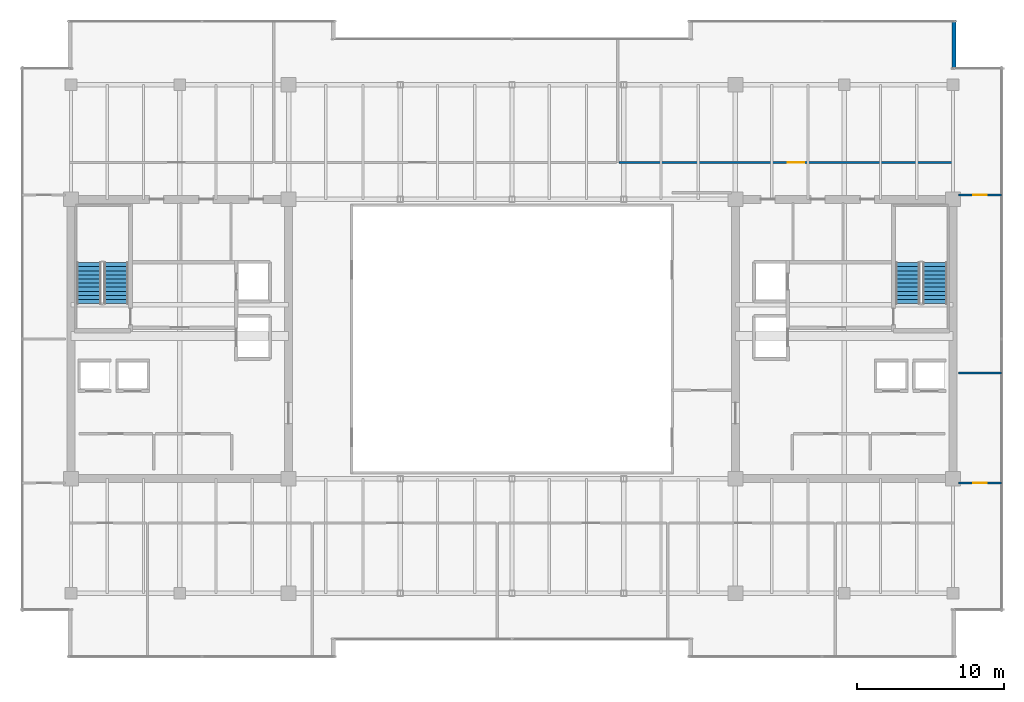
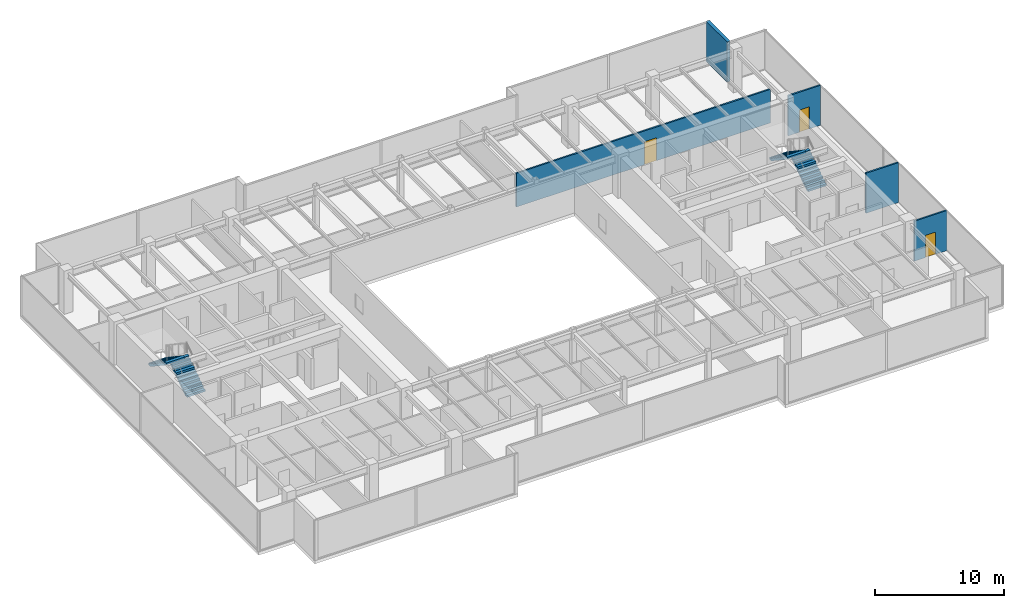
# One storey, part 31 of 33: 5 walls, 4 stair flights, 3 doors, 3 openings, 2 elements without a shape of their own.
"""IFC4 building model written with IfcOpenShell, lengths in metres."""

from ifc_helpers import new_model, si_unit, direction, frame, frame_2d, origin, place, context, subcontext, project, spatial, polyline, rectangle, outline, extrude, source, transform, mapped, material, layer, layer_set, type_object, type_shapes, element, fill, aggregate, save


model = new_model("IFC4")

# Units and contexts
model_context = context("Model", 3, precision=1e-05, world=origin(), true_north=direction((0.0, 1.0)))
body_context = subcontext(model_context, "Body", "Model", "MODEL_VIEW")
ifc_project = project(units=[si_unit("LENGTHUNIT", "METRE"), si_unit("AREAUNIT", "SQUARE_METRE"), si_unit("VOLUMEUNIT", "CUBIC_METRE"), si_unit("PLANEANGLEUNIT", "RADIAN"), si_unit("MASSUNIT", "GRAM", prefix="KILO")], contexts=[model_context])

# Site, building, storey
site_placement = place(None, origin())
site = spatial("IfcSite", under=ifc_project, at=site_placement, CompositionType="ELEMENT")
building_placement = place(site_placement, origin())
building = spatial("IfcBuilding", under=site, at=building_placement, Name="Haelvirn Gate Laboratories", CompositionType="ELEMENT")
storey_placement = place(building_placement, frame((0.0, 0.0, 238.300048828125)))
storey = spatial("IfcBuildingStorey", under=building, at=storey_placement, Name="L57", CompositionType="ELEMENT", Elevation=238.300048828125)

# Wall
ifc_material_1 = material(Name="Thermally-broken bronze aluminium rainscreen & mineral wool", Category="aluminium")
ifc_layer_1 = layer(ifc_material_1, 0.280029296875, Name="EW-TERR-280")
ifc_layer_set_1 = layer_set([ifc_layer_1], Name="Thermally-broken bronze aluminium rainscreen & mineral wool")
wall_type_1 = type_object("IfcWallType", Name="EW-TERR-280", PredefinedType="STANDARD", material=ifc_layer_set_1)
wall_1_placement = place(storey_placement, frame((67.4599609375, 42.7119140625, 0.0), z_axis=(0.0, 0.0, 1.0), x_axis=(0.0, 1.0, 0.0)))
element("IfcWall", 1, at=wall_1_placement, inside=storey, type_object=wall_type_1, Name="L57 Atrium Recess Bronze Return Wall 09", PredefinedType="STANDARD", context=body_context, shape_type="SweptSolid", body=[
    extrude(rectangle(XDim=3.2880859375, YDim=0.280029296875, at=frame_2d((1.64404296875, 0.0))), origin(), (0.0, 0.0, 1.0), 3.800048828125),
])

# Wall, opening, door
ifc_material_2 = material(Name="Acoustic mineral-wool gypsum board partition", Category="gypsum")
ifc_layer_2 = layer(ifc_material_2, 0.139892578125, Name="IW-PART-140")
ifc_layer_set_2 = layer_set([ifc_layer_2], Name="Acoustic mineral-wool gypsum board partition")
wall_type_2 = type_object("IfcWallType", Name="IW-PART-140", PredefinedType="PARTITIONING", material=ifc_layer_set_2)
wall_2_placement = place(storey_placement, frame((44.679931640625, 36.31005859375, 0.0), z_axis=(0.0, 0.0, 1.0), x_axis=(1.0, 0.0, 0.0)))
wall_2 = element("IfcWall", 2, at=wall_2_placement, inside=storey, type_object=wall_type_2, Name="L57 Interior Wall IW-L57-NCORR-03", PredefinedType="PARTITIONING", context=body_context, shape_type="SweptSolid", body=[
    extrude(rectangle(XDim=22.81005859375, YDim=0.139892578125, at=frame_2d((11.405029296875, 0.0))), origin(), (0.0, 0.0, 1.0), 3.197021484375),
])
opening_1_placement = place(wall_2_placement, frame((11.4853515625, 0.0, 0.0)))
opening_1 = element("IfcOpeningElement", 3, at=opening_1_placement, cuts=wall_2, Name="Opening D1", PredefinedType="OPENING", context=body_context, shape_type="SweptSolid", body=[
    extrude(rectangle(XDim=1.10009765625, YDim=2.179931640625, at=frame_2d((0.550048828125, 1.08984375))), frame((0.0, 0.080078125, 0.0), z_axis=(0.0, -1.0, 0.0), x_axis=(1.0, 0.0, 0.0)), (0.0, 0.0, 1.0), 0.159912109375),
])
ifc_material_3 = material(Name="Vision-panel acoustic solid-core timber lab door", Category="wood")
door_type_1 = type_object("IfcDoorType", Name="DR-LAB-1100", OperationType="NOTDEFINED", PredefinedType="DOOR", material=ifc_material_3)
shared_shape_1 = source(origin(), body_context, "Body", "SweptSolid", [
    extrude(rectangle(XDim=1.10009765625, YDim=2.179931640625, at=frame_2d((0.550048828125, 1.08984375))), frame((0.0, 0.02490234375, 0.0), z_axis=(0.0, -1.0, 0.0), x_axis=(1.0, 0.0, 0.0)), (0.0, 0.0, 1.0), 0.050048828125),
])
type_shapes(door_type_1, [shared_shape_1])
door_1_placement = place(opening_1_placement, origin())
door_1 = element("IfcDoor", 4, at=door_1_placement, inside=storey, type_object=door_type_1, Name="L57 Cryo-EM Imaging Suite Door N3", OperationType="SINGLE_SWING_LEFT", OverallHeight=2.179931640625, OverallWidth=1.10009765625, PredefinedType="DOOR", context=body_context, shape_type="MappedRepresentation", body=[
    mapped(shared_shape_1, transform((0.0, 0.0, 0.0), scale=1.0)),
])
fill(opening_1, door_1)

# Wall
wall_3_placement = place(storey_placement, frame((67.780029296875, 22.0, 0.0), z_axis=(0.0, 0.0, 1.0), x_axis=(1.0, 0.0, 0.0)))
element("IfcWall", 5, at=wall_3_placement, inside=storey, type_object=wall_type_2, Name="L57 Interior Wall IW-L57-EZ3-MID", PredefinedType="PARTITIONING", context=body_context, shape_type="SweptSolid", body=[
    extrude(rectangle(XDim=2.909912109375, YDim=0.139892578125, at=frame_2d((1.455078125, 0.0))), origin(), (0.0, 0.0, 1.0), 3.800048828125),
])

# Wall, opening, door
wall_4_placement = place(storey_placement, frame((67.780029296875, 14.5048828125, 0.0), z_axis=(0.0, 0.0, 1.0), x_axis=(1.0, 0.0, 0.0)))
wall_4 = element("IfcWall", 6, at=wall_4_placement, inside=storey, type_object=wall_type_2, Name="L57 Interior Wall IW-L57-EZ3-ENT-S", PredefinedType="PARTITIONING", context=body_context, shape_type="SweptSolid", body=[
    extrude(rectangle(XDim=2.909912109375, YDim=0.139892578125, at=frame_2d((1.455078125, 0.0))), origin(), (0.0, 0.0, 1.0), 3.800048828125),
])
opening_2_placement = place(wall_4_placement, frame((1.0048828125, 0.0, 0.0)))
opening_2 = element("IfcOpeningElement", 7, at=opening_2_placement, cuts=wall_4, Name="Opening D4", PredefinedType="OPENING", context=body_context, shape_type="SweptSolid", body=[
    extrude(rectangle(XDim=0.89990234375, YDim=2.10009765625, at=frame_2d((0.449951171875, 1.050048828125))), frame((0.0, 0.080078125, 0.0), z_axis=(0.0, -1.0, 0.0), x_axis=(1.0, 0.0, 0.0)), (0.0, 0.0, 1.0), 0.159912109375),
])
ifc_material_4 = material(Name="Glazed aluminium-framed write-up door", Category="aluminium")
door_type_2 = type_object("IfcDoorType", Name="DR-OFF-900", OperationType="NOTDEFINED", PredefinedType="DOOR", material=ifc_material_4)
shared_shape_2 = source(origin(), body_context, "Body", "SweptSolid", [
    extrude(rectangle(XDim=0.89990234375, YDim=2.10009765625, at=frame_2d((0.449951171875, 1.050048828125))), frame((0.0, 0.02490234375, 0.0), z_axis=(0.0, -1.0, 0.0), x_axis=(1.0, 0.0, 0.0)), (0.0, 0.0, 1.0), 0.050048828125),
])
type_shapes(door_type_2, [shared_shape_2])
door_2_placement = place(opening_2_placement, origin())
door_2 = element("IfcDoor", 8, at=door_2_placement, inside=storey, type_object=door_type_2, Name="L57 Floor Hydration & Tea Servery Door E-S", OperationType="SINGLE_SWING_LEFT", OverallHeight=2.10009765625, OverallWidth=0.89990234375, PredefinedType="DOOR", context=body_context, shape_type="MappedRepresentation", body=[
    mapped(shared_shape_2, transform((0.0, 0.0, 0.0), scale=1.0)),
])
fill(opening_2, door_2)

wall_5_placement = place(storey_placement, frame((67.780029296875, 34.094970703125, 0.0), z_axis=(0.0, 0.0, 1.0), x_axis=(1.0, 0.0, 0.0)))
wall_5 = element("IfcWall", 9, at=wall_5_placement, inside=storey, type_object=wall_type_2, Name="L57 Interior Wall IW-L57-EZ3-ENT-N", PredefinedType="PARTITIONING", context=body_context, shape_type="SweptSolid", body=[
    extrude(rectangle(XDim=2.909912109375, YDim=0.139892578125, at=frame_2d((1.455078125, 0.0))), origin(), (0.0, 0.0, 1.0), 3.800048828125),
])
opening_3_placement = place(wall_5_placement, frame((1.0048828125, 0.0, 0.0)))
opening_3 = element("IfcOpeningElement", 10, at=opening_3_placement, cuts=wall_5, Name="Opening D4", PredefinedType="OPENING", context=body_context, shape_type="SweptSolid", body=[
    extrude(rectangle(XDim=0.89990234375, YDim=2.10009765625, at=frame_2d((0.449951171875, 1.050048828125))), frame((0.0, 0.080078125, 0.0), z_axis=(0.0, -1.0, 0.0), x_axis=(1.0, 0.0, 0.0)), (0.0, 0.0, 1.0), 0.159912109375),
])
door_3_placement = place(opening_3_placement, origin())
door_3 = element("IfcDoor", 11, at=door_3_placement, inside=storey, type_object=door_type_2, Name="L57 Proteomics Mass-Spec Laboratory Door E-N", OperationType="SINGLE_SWING_RIGHT", OverallHeight=2.10009765625, OverallWidth=0.89990234375, PredefinedType="DOOR", context=body_context, shape_type="MappedRepresentation", body=[
    mapped(shared_shape_2, transform((0.0, 0.0, 0.0), scale=1.0)),
])
fill(opening_3, door_3)

# Stair, stair flights
ifc_material_5 = material(Name="Concrete C40/50", Category="concrete")
stair_type = type_object("IfcStairType", Name="ST-DOG-1650-R22", PredefinedType="HALF_TURN_STAIR", material=ifc_material_5)
stair_1_placement = place(storey_placement, origin())
stair_1 = element("IfcStair", 12, at=stair_1_placement, inside=storey, type_object=stair_type, Name="L57 Escape Stair ST1", PredefinedType="HALF_TURN_STAIR")
stair_flight_type = type_object("IfcStairFlightType", Name="STF-1650-R11", PredefinedType="STRAIGHT", material=ifc_material_5)
shared_shape_3 = source(origin(), body_context, "Body", "SweptSolid", [
    extrude(outline(polyline([(0.0, 0.0), (0.0, 0.186279296875), (0.280029296875, 0.186279296875), (0.280029296875, 0.372802734375), (0.56005859375, 0.372802734375), (0.56005859375, 0.55908203125), (0.840087890625, 0.55908203125), (0.840087890625, 0.745361328125), (1.1201171875, 0.745361328125), (1.1201171875, 0.931884765625), (1.39990234375, 0.931884765625), (1.39990234375, 1.1181640625), (1.679931640625, 1.1181640625), (1.679931640625, 1.304443359375), (1.9599609375, 1.304443359375), (1.9599609375, 1.490966796875), (2.239990234375, 1.490966796875), (2.239990234375, 1.67724609375), (2.52001953125, 1.67724609375), (2.52001953125, 1.863525390625), (2.800048828125, 1.863525390625), (2.800048828125, 2.050048828125), (2.800048828125, 1.671630859375), (0.28857421875, 0.0), (0.0, 0.0)])), frame((0.0, 0.824951171875, 0.0), z_axis=(0.0, -1.0, 0.0), x_axis=(1.0, 0.0, 0.0)), (0.0, 0.0, 1.0), 1.64990234375),
])
type_shapes(stair_flight_type, [shared_shape_3])
stair_flight_1_placement = place(storey_placement, frame((10.47509765625, 26.699951171875, 0.0), z_axis=(0.0, 0.0, 1.0), x_axis=(0.0, 1.0, 0.0)))
stair_flight_1 = element("IfcStairFlight", 13, at=stair_flight_1_placement, type_object=stair_flight_type, Name="ST1 flight 1", NumberOfRisers=11, NumberOfTreads=10, PredefinedType="STRAIGHT", RiserHeight=0.186363636, TreadLength=0.28, context=body_context, shape_type="MappedRepresentation", body=[
    mapped(shared_shape_3, transform((0.0, 0.0, 0.0), scale=1.0)),
])
stair_flight_2_placement = place(storey_placement, frame((8.625, 29.5, 2.050048828125), z_axis=(0.0, 0.0, 1.0), x_axis=(0.0, -1.0, 0.0)))
stair_flight_2 = element("IfcStairFlight", 14, at=stair_flight_2_placement, type_object=stair_flight_type, Name="ST1 flight 2", NumberOfRisers=11, NumberOfTreads=10, PredefinedType="STRAIGHT", RiserHeight=0.186363636, TreadLength=0.28, context=body_context, shape_type="MappedRepresentation", body=[
    mapped(shared_shape_3, transform((0.0, 0.0, 0.0), scale=1.0)),
])
aggregate(stair_1, [stair_flight_1, stair_flight_2])

stair_2_placement = place(storey_placement, origin())
stair_2 = element("IfcStair", 15, at=stair_2_placement, inside=storey, type_object=stair_type, Name="L57 Escape Stair ST2", PredefinedType="HALF_TURN_STAIR")
stair_flight_3_placement = place(storey_placement, frame((66.175048828125, 26.699951171875, 0.0), z_axis=(0.0, 0.0, 1.0), x_axis=(0.0, 1.0, 0.0)))
stair_flight_3 = element("IfcStairFlight", 16, at=stair_flight_3_placement, type_object=stair_flight_type, Name="ST2 flight 1", NumberOfRisers=11, NumberOfTreads=10, PredefinedType="STRAIGHT", RiserHeight=0.186363636, TreadLength=0.28, context=body_context, shape_type="MappedRepresentation", body=[
    mapped(shared_shape_3, transform((0.0, 0.0, 0.0), scale=1.0)),
])
stair_flight_4_placement = place(storey_placement, frame((64.324951171875, 29.5, 2.050048828125), z_axis=(0.0, 0.0, 1.0), x_axis=(0.0, -1.0, 0.0)))
stair_flight_4 = element("IfcStairFlight", 17, at=stair_flight_4_placement, type_object=stair_flight_type, Name="ST2 flight 2", NumberOfRisers=11, NumberOfTreads=10, PredefinedType="STRAIGHT", RiserHeight=0.186363636, TreadLength=0.28, context=body_context, shape_type="MappedRepresentation", body=[
    mapped(shared_shape_3, transform((0.0, 0.0, 0.0), scale=1.0)),
])
aggregate(stair_2, [stair_flight_3, stair_flight_4])

save(model, "model.ifc")
